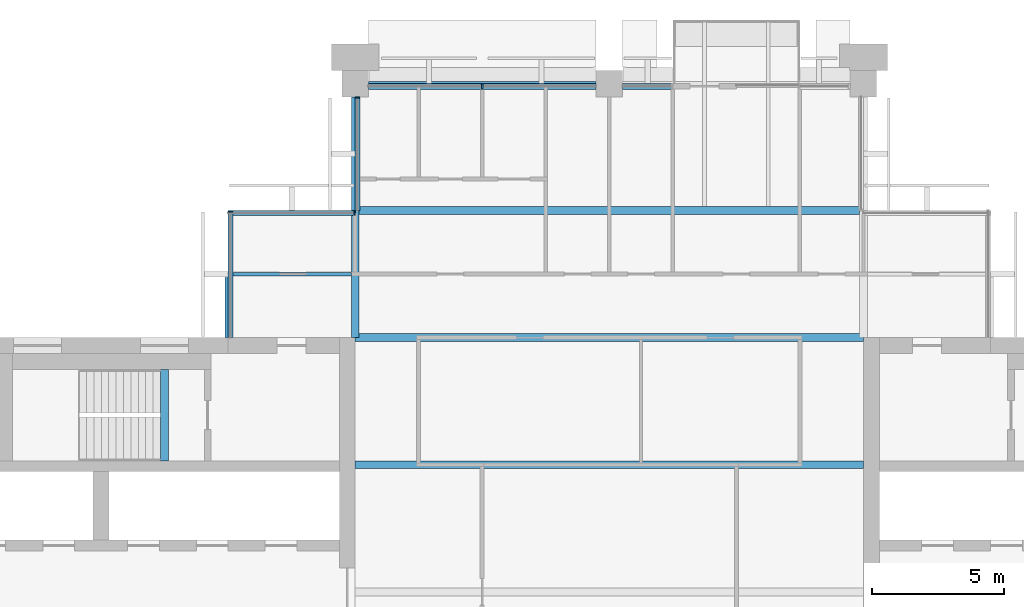
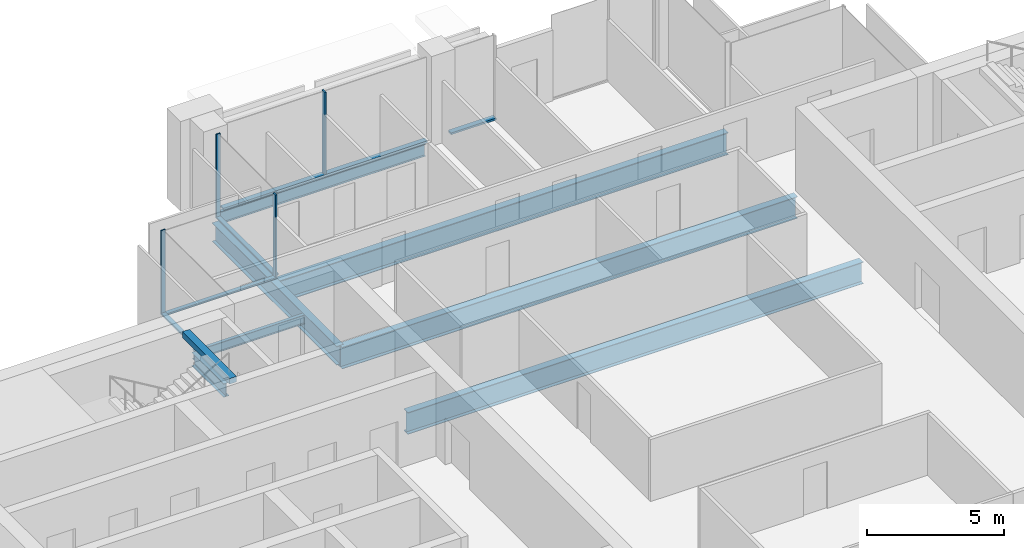
# One storey, part 5 of 13: 9 members, 8 beams, 4 elements without a shape of their own.
"""IFC4 building model written with IfcOpenShell, lengths in metres."""

from ifc_helpers import new_model, si_unit, direction, frame, origin, origin_2d, place, context, subcontext, project, spatial, rectangle, i_section, extrude, material, material_profile, profile_set, type_object, element, aggregate, save


model = new_model("IFC4")

# Units and contexts
model_context = context("Model", 3, precision=1e-05, world=origin(), true_north=direction((0.0, 1.0)))
body_context = subcontext(model_context, "Body", "Model", "MODEL_VIEW")
ifc_project = project(units=[si_unit("LENGTHUNIT", "METRE"), si_unit("AREAUNIT", "SQUARE_METRE"), si_unit("VOLUMEUNIT", "CUBIC_METRE"), si_unit("PLANEANGLEUNIT", "RADIAN"), si_unit("MASSUNIT", "GRAM", prefix="KILO")], contexts=[model_context])

# Site, building, storey
site_placement = place(None, origin())
site = spatial("IfcSite", under=ifc_project, at=site_placement, CompositionType="ELEMENT")
building_placement = place(site_placement, origin())
building = spatial("IfcBuilding", under=site, at=building_placement, Name="Baori Bourse Tower", CompositionType="ELEMENT")
storey_placement = place(building_placement, frame((0.0, 0.0, 350.300048828125)))
storey = spatial("IfcBuildingStorey", under=building, at=storey_placement, Name="L78", CompositionType="ELEMENT", Elevation=350.300048828125)

# Curtain wall, member
ifc_material_1 = material(Name="Pale anodised aluminium", Category="aluminium")
curtain_wall_type_1 = type_object("IfcCurtainWallType", Name="CW2 Curtain wall", PredefinedType="NOTDEFINED", material=ifc_material_1)
curtain_wall_1_placement = place(storey_placement, origin())
curtain_wall_1 = element("IfcCurtainWall", 1, at=curtain_wall_1_placement, inside=storey, type_object=curtain_wall_type_1, Name="Curtain wall CW2 L78 7", PredefinedType="NOTDEFINED")
ifc_material_2 = material(Name="Pale anodised aluminium", Category="aluminium")
ifc_material_profile_1 = material_profile(ifc_material_2, rectangle(XDim=0.179931640625, YDim=0.054931640625, at=origin_2d()), Name="Mullion 55x180")
ifc_profile_set_1 = profile_set([ifc_material_profile_1], Name="Pale anodised aluminium")
member_type_1 = type_object("IfcMemberType", Name="CW2 Curtain wall mullion", PredefinedType="MULLION", material=ifc_profile_set_1)
member_1_placement = place(storey_placement, frame((19.2900390625, 47.472412109375, 0.070068359375), z_axis=(0.0, 0.0, 1.0), x_axis=(1.0, 0.0, 0.0)))
member_1 = element("IfcMember", 2, at=member_1_placement, type_object=member_type_1, Name="Curtain wall CW2 mullion", PredefinedType="MULLION", context=body_context, shape_type="SweptSolid", body=[
    extrude(rectangle(XDim=0.179931640625, YDim=0.054931640625, at=origin_2d()), origin(), (0.0, 0.0, 1.0), 3.679931640625),
])

curtain_wall_2_placement = place(storey_placement, origin())
curtain_wall_2 = element("IfcCurtainWall", 3, at=curtain_wall_2_placement, inside=storey, type_object=curtain_wall_type_1, Name="Curtain wall CW2 L78 8", PredefinedType="NOTDEFINED")
member_2_placement = place(storey_placement, frame((19.172607421875, 43.110107421875, 0.070068359375), z_axis=(0.0, 0.0, 1.0), x_axis=(0.0, -1.0, 0.0)))
member_2 = element("IfcMember", 4, at=member_2_placement, type_object=member_type_1, Name="Curtain wall CW2 mullion", PredefinedType="MULLION", context=body_context, shape_type="SweptSolid", body=[
    extrude(rectangle(XDim=0.179931640625, YDim=0.054931640625, at=origin_2d()), origin(), (0.0, 0.0, 1.0), 3.679931640625),
])

curtain_wall_3_placement = place(storey_placement, origin())
curtain_wall_3 = element("IfcCurtainWall", 5, at=curtain_wall_3_placement, inside=storey, type_object=curtain_wall_type_1, Name="Curtain wall CW2 L78 9", PredefinedType="NOTDEFINED")
member_3_placement = place(storey_placement, frame((14.489990234375, 43.172607421875, 0.070068359375), z_axis=(0.0, 0.0, 1.0), x_axis=(1.0, 0.0, 0.0)))
member_3 = element("IfcMember", 6, at=member_3_placement, type_object=member_type_1, Name="Curtain wall CW2 mullion", PredefinedType="MULLION", context=body_context, shape_type="SweptSolid", body=[
    extrude(rectangle(XDim=0.179931640625, YDim=0.054931640625, at=origin_2d()), origin(), (0.0, 0.0, 1.0), 3.679931640625),
])

# Member
ifc_material_3 = material(Name="Pale anodised aluminium", Category="aluminium")
ifc_material_profile_2 = material_profile(ifc_material_3, rectangle(XDim=0.179931640625, YDim=0.070068359375, at=origin_2d()), Name="Transom 70x180")
ifc_profile_set_2 = profile_set([ifc_material_profile_2], Name="Pale anodised aluminium")
member_type_2 = type_object("IfcMemberType", Name="CW2 Curtain wall transom", PredefinedType="USERDEFINED", material=ifc_profile_set_2)
member_4_placement = place(storey_placement, frame((19.2900390625, 47.5, 0.034912109375), z_axis=(0.0, -1.0, 0.0), x_axis=(1.0, 0.0, 0.0)))
member_4 = element("IfcMember", 7, at=member_4_placement, type_object=member_type_2, Name="Curtain wall CW2 sill rail", ObjectType="TRANSOM", PredefinedType="USERDEFINED", context=body_context, shape_type="SweptSolid", body=[
    extrude(rectangle(XDim=0.179931640625, YDim=0.070068359375, at=origin_2d()), origin(), (0.0, 0.0, 1.0), 4.300048828125),
])

aggregate(curtain_wall_1, [member_4, member_1])

member_5_placement = place(storey_placement, frame((19.199951171875, 43.110107421875, 0.034912109375), z_axis=(-1.0, 0.0, 0.0), x_axis=(0.0, -1.0, 0.0)))
member_5 = element("IfcMember", 8, at=member_5_placement, type_object=member_type_2, Name="Curtain wall CW2 sill rail", ObjectType="TRANSOM", PredefinedType="USERDEFINED", context=body_context, shape_type="SweptSolid", body=[
    extrude(rectangle(XDim=0.179931640625, YDim=0.070068359375, at=origin_2d()), origin(), (0.0, 0.0, 1.0), 4.800048828125),
])

aggregate(curtain_wall_2, [member_5, member_2])

member_6_placement = place(storey_placement, frame((14.489990234375, 43.199951171875, 0.034912109375), z_axis=(0.0, -1.0, 0.0), x_axis=(1.0, 0.0, 0.0)))
member_6 = element("IfcMember", 9, at=member_6_placement, type_object=member_type_2, Name="Curtain wall CW2 sill rail", ObjectType="TRANSOM", PredefinedType="USERDEFINED", context=body_context, shape_type="SweptSolid", body=[
    extrude(rectangle(XDim=0.179931640625, YDim=0.070068359375, at=origin_2d()), origin(), (0.0, 0.0, 1.0), 4.800048828125),
])

aggregate(curtain_wall_3, [member_6, member_3])

# Curtain wall, members
ifc_material_4 = material(Name="Pale anodised aluminium", Category="aluminium")
curtain_wall_type_2 = type_object("IfcCurtainWallType", Name="CW5 Curtain wall", PredefinedType="NOTDEFINED", material=ifc_material_4)
curtain_wall_4_placement = place(storey_placement, origin())
curtain_wall_4 = element("IfcCurtainWall", 10, at=curtain_wall_4_placement, inside=storey, type_object=curtain_wall_type_2, Name="Curtain wall CW5 L78 6", PredefinedType="NOTDEFINED")
ifc_material_5 = material(Name="Pale anodised aluminium", Category="aluminium")
ifc_material_profile_3 = material_profile(ifc_material_5, rectangle(XDim=0.219970703125, YDim=0.06494140625, at=origin_2d()), Name="Mullion 65x220")
ifc_profile_set_3 = profile_set([ifc_material_profile_3], Name="Pale anodised aluminium")
member_type_3 = type_object("IfcMemberType", Name="CW5 Curtain wall mullion", PredefinedType="MULLION", material=ifc_profile_set_3)
member_7_placement = place(storey_placement, frame((24.0, 47.889892578125, 0.0849609375), z_axis=(0.0, 0.0, 1.0), x_axis=(0.0, -1.0, 0.0)))
member_7 = element("IfcMember", 11, at=member_7_placement, type_object=member_type_3, Name="Curtain wall CW5 mullion", PredefinedType="MULLION", context=body_context, shape_type="SweptSolid", body=[
    extrude(rectangle(XDim=0.219970703125, YDim=0.06494140625, at=origin_2d()), origin(), (0.0, 0.0, 1.0), 3.6650390625),
])
ifc_material_6 = material(Name="Pale anodised aluminium", Category="aluminium")
ifc_material_profile_4 = material_profile(ifc_material_6, rectangle(XDim=0.219970703125, YDim=0.0849609375, at=origin_2d()), Name="Transom 85x220")
ifc_profile_set_4 = profile_set([ifc_material_profile_4], Name="Pale anodised aluminium")
member_type_4 = type_object("IfcMemberType", Name="CW5 Curtain wall transom", PredefinedType="USERDEFINED", material=ifc_profile_set_4)
member_8_placement = place(storey_placement, frame((31.199951171875, 47.889892578125, 0.04248046875), z_axis=(-1.0, 0.0, 0.0), x_axis=(0.0, -1.0, 0.0)))
member_8 = element("IfcMember", 12, at=member_8_placement, type_object=member_type_4, Name="Curtain wall CW5 sill rail", ObjectType="TRANSOM", PredefinedType="USERDEFINED", context=body_context, shape_type="SweptSolid", body=[
    extrude(rectangle(XDim=0.219970703125, YDim=0.0849609375, at=origin_2d()), origin(), (0.0, 0.0, 1.0), 1.89990234375),
])
member_9_placement = place(storey_placement, frame((28.300048828125, 47.889892578125, 0.04248046875), z_axis=(-1.0, 0.0, 0.0), x_axis=(0.0, -1.0, 0.0)))
member_9 = element("IfcMember", 13, at=member_9_placement, type_object=member_type_4, Name="Curtain wall CW5 sill rail", ObjectType="TRANSOM", PredefinedType="USERDEFINED", context=body_context, shape_type="SweptSolid", body=[
    extrude(rectangle(XDim=0.219970703125, YDim=0.0849609375, at=origin_2d()), origin(), (0.0, 0.0, 1.0), 8.60009765625),
])
aggregate(curtain_wall_4, [member_8, member_9, member_7])

# Beams
ifc_material_7 = material(Name="Steel A992 Gr 50", Category="steel")
ifc_material_profile_5 = material_profile(ifc_material_7, i_section(OverallWidth=0.227783203125, OverallDepth=0.60205078125, WebThickness=0.010498046875, FlangeThickness=0.014892578125, at=origin_2d()), Name="W24x68")
ifc_profile_set_5 = profile_set([ifc_material_profile_5], Name="Steel A992 Gr 50")
beam_type_1 = type_object("IfcBeamType", Name="Core bracket W24x68", PredefinedType="BEAM", material=ifc_profile_set_5)
beam_1_placement = place(storey_placement, frame((14.39990234375, 38.39990234375, -0.4609375), z_axis=(0.0, 1.0, 0.0), x_axis=(-1.0, 0.0, 0.0)))
element("IfcBeam", 14, at=beam_1_placement, inside=storey, type_object=beam_type_1, Name="Core bracket L78", PredefinedType="BEAM", context=body_context, shape_type="SweptSolid", body=[
    extrude(i_section(OverallWidth=0.227783203125, OverallDepth=0.60205078125, WebThickness=0.010498046875, FlangeThickness=0.014892578125, at=origin_2d()), origin(), (0.0, 0.0, 1.0), 2.329833984375),
])
ifc_material_8 = material(Name="Steel A992 Gr 50", Category="steel")
ifc_material_profile_6 = material_profile(ifc_material_8, i_section(OverallWidth=0.1650390625, OverallDepth=0.52587890625, WebThickness=0.0087890625, FlangeThickness=0.011474609375, at=origin_2d()), Name="W21x44")
ifc_profile_set_6 = profile_set([ifc_material_profile_6], Name="Steel A992 Gr 50")
beam_type_2 = type_object("IfcBeamType", Name="Edge beam W21x44", PredefinedType="BEAM", material=ifc_profile_set_6)
beam_2_placement = place(storey_placement, frame((19.699951171875, 48.0, -0.4228515625), z_axis=(1.0, 0.0, 0.0), x_axis=(0.0, 1.0, 0.0)))
element("IfcBeam", 15, at=beam_2_placement, inside=storey, type_object=beam_type_2, Name="Edge beam L78", PredefinedType="BEAM", context=body_context, shape_type="SweptSolid", body=[
    extrude(i_section(OverallWidth=0.1650390625, OverallDepth=0.52587890625, WebThickness=0.0087890625, FlangeThickness=0.011474609375, at=origin_2d()), origin(), (0.0, 0.0, 1.0), 8.60009765625),
])
ifc_material_9 = material(Name="Steel A992 Gr 50", Category="steel")
ifc_material_profile_7 = material_profile(ifc_material_9, i_section(OverallWidth=0.2998046875, OverallDepth=0.97021484375, WebThickness=0.01611328125, FlangeThickness=0.02099609375, at=origin_2d()), Name="W40x149")
ifc_profile_set_7 = profile_set([ifc_material_profile_7], Name="Steel A992 Gr 50")
beam_type_3 = type_object("IfcBeamType", Name="Floor beam W40x149", PredefinedType="BEAM", material=ifc_profile_set_7)
for number, where, z_axis, x_axis, name in (
    (16, (19.199951171875, 33.60009765625, -0.645263671875), (1.0, 0.0, 0.0), (0.0, 1.0, 0.0), "Floor beam L78"),
    (17, (19.199951171875, 38.39990234375, -0.645263671875), (1.0, 0.0, 0.0), (0.0, 1.0, 0.0), "Floor beam L78"),
):
    element("IfcBeam", number, at=place(storey_placement, frame(where, z_axis=z_axis, x_axis=x_axis)), inside=storey, type_object=beam_type_3, Name=name, PredefinedType="BEAM", context=body_context, shape_type="SweptSolid", body=[
        extrude(i_section(OverallWidth=0.2998046875, OverallDepth=0.97021484375, WebThickness=0.01611328125, FlangeThickness=0.02099609375, at=origin_2d()), origin(), (0.0, 0.0, 1.0), 19.199951171875),
    ])
ifc_material_10 = material(Name="Steel A992 Gr 50", Category="steel")
ifc_material_profile_8 = material_profile(ifc_material_10, i_section(OverallWidth=0.2998046875, OverallDepth=0.990478515625, WebThickness=0.0166015625, FlangeThickness=0.030517578125, at=origin_2d()), Name="W40x183")
ifc_profile_set_8 = profile_set([ifc_material_profile_8], Name="Steel A992 Gr 50")
beam_type_4 = type_object("IfcBeamType", Name="Floor beam W40x183", PredefinedType="BEAM", material=ifc_profile_set_8)
beam_3_placement = place(storey_placement, frame((19.345947265625, 43.199951171875, -0.6552734375), z_axis=(1.0, 0.0, 0.0), x_axis=(0.0, 1.0, 0.0)))
element("IfcBeam", 18, at=beam_3_placement, inside=storey, type_object=beam_type_4, Name="Floor beam L78", PredefinedType="BEAM", context=body_context, shape_type="SweptSolid", body=[
    extrude(i_section(OverallWidth=0.2998046875, OverallDepth=0.990478515625, WebThickness=0.0166015625, FlangeThickness=0.030517578125, at=origin_2d()), origin(), (0.0, 0.0, 1.0), 18.901611328125),
])
ifc_material_11 = material(Name="Steel A992 Gr 50", Category="steel")
ifc_material_profile_9 = material_profile(ifc_material_11, i_section(OverallWidth=0.2919921875, OverallDepth=0.835693359375, WebThickness=0.013916015625, FlangeThickness=0.018798828125, at=origin_2d()), Name="W33x118")
ifc_profile_set_9 = profile_set([ifc_material_profile_9], Name="Steel A992 Gr 50")
beam_type_5 = type_object("IfcBeamType", Name="Girder W33x118", PredefinedType="BEAM", material=ifc_profile_set_9)
beam_4_placement = place(storey_placement, frame((19.199951171875, 38.39990234375, -0.577880859375), z_axis=(0.0, 1.0, 0.0), x_axis=(-1.0, 0.0, 0.0)))
element("IfcBeam", 19, at=beam_4_placement, inside=storey, type_object=beam_type_5, Name="Girder L78", PredefinedType="BEAM", context=body_context, shape_type="SweptSolid", body=[
    extrude(i_section(OverallWidth=0.2919921875, OverallDepth=0.835693359375, WebThickness=0.013916015625, FlangeThickness=0.018798828125, at=origin_2d()), origin(), (0.0, 0.0, 1.0), 9.10009765625),
])
ifc_material_12 = material(Name="Concrete f'c 50 MPa", Category="concrete")
ifc_material_profile_10 = material_profile(ifc_material_12, rectangle(XDim=0.300048828125, YDim=0.25, at=origin_2d()), Name="RC 300x250")
ifc_profile_set_10 = profile_set([ifc_material_profile_10], Name="Concrete f'c 50 MPa")
beam_type_6 = type_object("IfcBeamType", Name="Stair nib beam RC 300x250", PredefinedType="BEAM", material=ifc_profile_set_10)
beam_5_placement = place(storey_placement, frame((12.0, 33.75, 3.625), z_axis=(0.0, 1.0, 0.0), x_axis=(-1.0, 0.0, 0.0)))
element("IfcBeam", 20, at=beam_5_placement, inside=storey, type_object=beam_type_6, Name="Stair WB nib beam L79", PredefinedType="BEAM", context=body_context, shape_type="SweptSolid", body=[
    extrude(rectangle(XDim=0.300048828125, YDim=0.25, at=origin_2d()), origin(), (0.0, 0.0, 1.0), 3.449951171875),
])
ifc_material_13 = material(Name="Steel A992 Gr 50", Category="steel")
ifc_material_profile_11 = material_profile(ifc_material_13, i_section(OverallWidth=0.140380859375, OverallDepth=0.40380859375, WebThickness=0.007080078125, FlangeThickness=0.01123046875, at=origin_2d()), Name="W16x31")
ifc_profile_set_11 = profile_set([ifc_material_profile_11], Name="Steel A992 Gr 50")
beam_type_7 = type_object("IfcBeamType", Name="Trimmer beam W16x31", PredefinedType="BEAM", material=ifc_profile_set_11)
beam_6_placement = place(storey_placement, frame((14.39990234375, 40.800048828125, -0.362060546875), z_axis=(1.0, 0.0, 0.0), x_axis=(0.0, 1.0, 0.0)))
element("IfcBeam", 21, at=beam_6_placement, inside=storey, type_object=beam_type_7, Name="Trimmer beam L78", PredefinedType="BEAM", context=body_context, shape_type="SweptSolid", body=[
    extrude(i_section(OverallWidth=0.140380859375, OverallDepth=0.40380859375, WebThickness=0.007080078125, FlangeThickness=0.01123046875, at=origin_2d()), origin(), (0.0, 0.0, 1.0), 4.654052734375),
])

save(model, "model.ifc")
